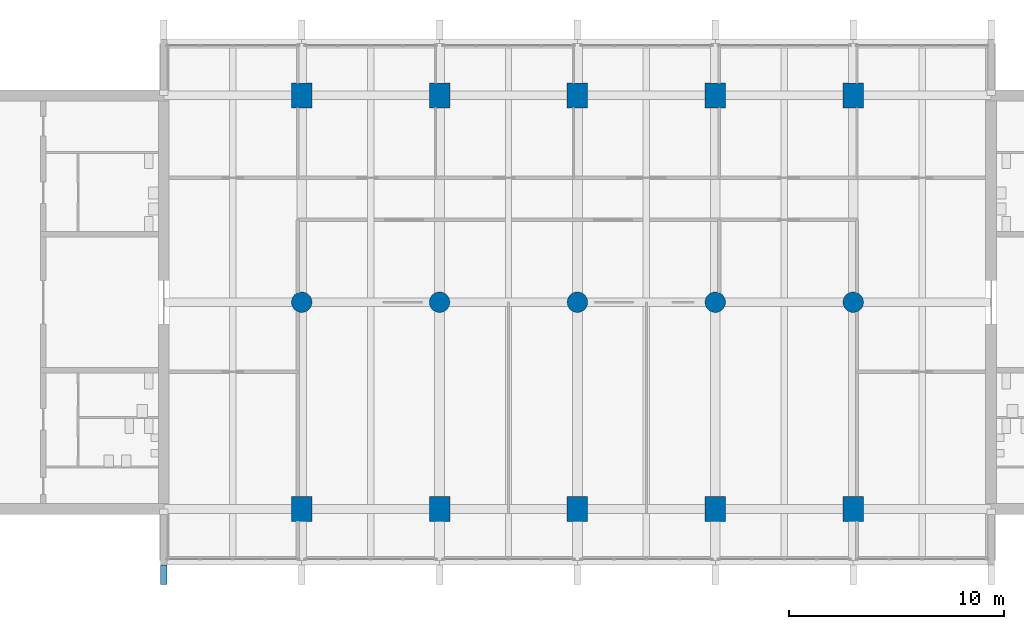
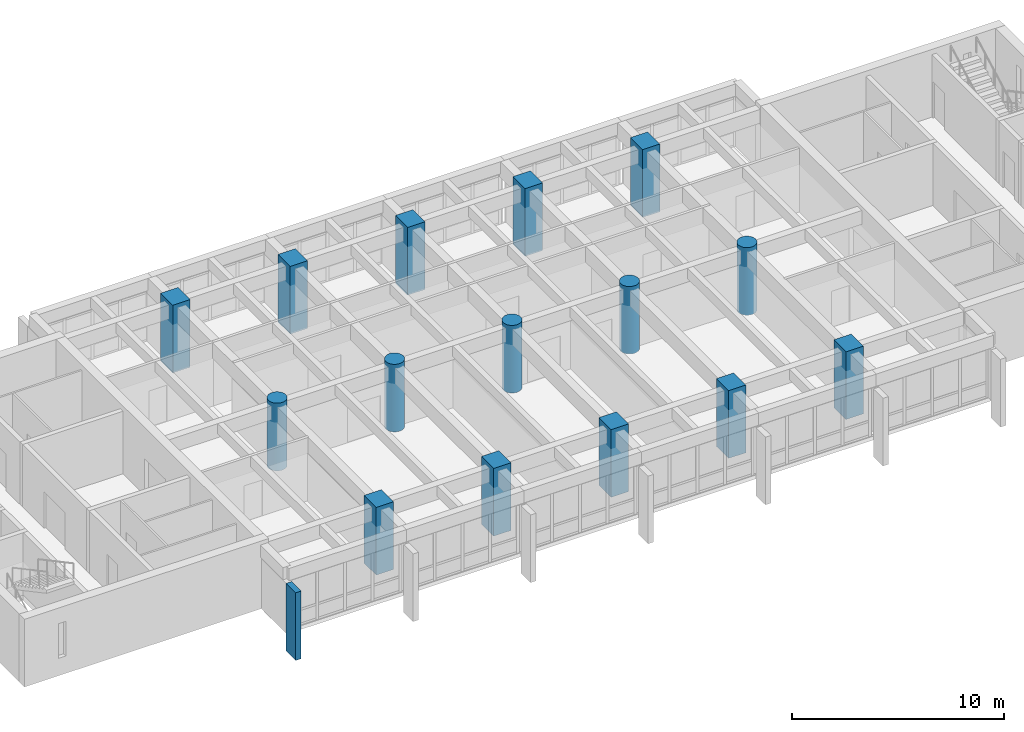
# One storey, part 1 of 15: 15 columns, 1 member.
"""IFC4 building model written with IfcOpenShell, lengths in metres."""

from ifc_helpers import new_model, si_unit, direction, frame, origin, origin_2d, place, context, subcontext, project, spatial, rectangle, circle, extrude, material, material_profile, profile_set, type_object, element, save


model = new_model("IFC4")

# Units and contexts
model_context = context("Model", 3, precision=1e-05, world=origin(), true_north=direction((0.0, 1.0)))
body_context = subcontext(model_context, "Body", "Model", "MODEL_VIEW")
ifc_project = project(units=[si_unit("LENGTHUNIT", "METRE"), si_unit("AREAUNIT", "SQUARE_METRE"), si_unit("VOLUMEUNIT", "CUBIC_METRE"), si_unit("PLANEANGLEUNIT", "RADIAN"), si_unit("MASSUNIT", "GRAM", prefix="KILO")], contexts=[model_context])

# Site, building, storey
site_placement = place(None, origin())
site = spatial("IfcSite", under=ifc_project, at=site_placement, CompositionType="ELEMENT")
building_placement = place(site_placement, origin())
building = spatial("IfcBuilding", under=site, at=building_placement, Name="Fogon Plaza Fire Station and Headquarters Tower", CompositionType="ELEMENT")
storey_placement = place(building_placement, frame((0.0, 0.0, 40.5)))
storey = spatial("IfcBuildingStorey", under=building, at=storey_placement, Name="L10", CompositionType="ELEMENT", Elevation=40.5)

# Columns
ifc_material_1 = material(Name="Concrete C40", Category="concrete")
ifc_material_profile_1 = material_profile(ifc_material_1, rectangle(XDim=0.949951171875, YDim=1.14990234375, at=origin_2d()), Name="RC 950x1150")
ifc_profile_set_1 = profile_set([ifc_material_profile_1], Name="Concrete C40")
column_type_1 = type_object("IfcColumnType", Name="COLUMN RC 950x1150", PredefinedType="COLUMN", material=ifc_profile_set_1)
for number, where, z_axis, x_axis, name in (
    (1, (32.0, 33.60009765625, 0.0), (0.0, 0.0, 1.0), (1.0, 0.0, 0.0), "col-L10-4E"),
    (2, (32.0, 52.800048828125, 0.0), (0.0, 0.0, 1.0), (1.0, 0.0, 0.0), "col-L10-4G"),
    (3, (38.39990234375, 33.60009765625, 0.0), (0.0, 0.0, 1.0), (1.0, 0.0, 0.0), "col-L10-5E"),
    (4, (38.39990234375, 52.800048828125, 0.0), (0.0, 0.0, 1.0), (1.0, 0.0, 0.0), "col-L10-5G"),
    (5, (44.800048828125, 33.60009765625, 0.0), (0.0, 0.0, 1.0), (1.0, 0.0, 0.0), "col-L10-6E"),
    (6, (44.800048828125, 52.800048828125, 0.0), (0.0, 0.0, 1.0), (1.0, 0.0, 0.0), "col-L10-6G"),
    (7, (51.199951171875, 33.60009765625, 0.0), (0.0, 0.0, 1.0), (1.0, 0.0, 0.0), "col-L10-7E"),
    (8, (51.199951171875, 52.800048828125, 0.0), (0.0, 0.0, 1.0), (1.0, 0.0, 0.0), "col-L10-7G"),
    (9, (57.60009765625, 33.60009765625, 0.0), (0.0, 0.0, 1.0), (1.0, 0.0, 0.0), "col-L10-8E"),
    (10, (57.60009765625, 52.800048828125, 0.0), (0.0, 0.0, 1.0), (1.0, 0.0, 0.0), "col-L10-8G"),
):
    element("IfcColumn", number, at=place(storey_placement, frame(where, z_axis=z_axis, x_axis=x_axis)), inside=storey, type_object=column_type_1, Name=name, PredefinedType="COLUMN", context=body_context, shape_type="SweptSolid", body=[
        extrude(rectangle(XDim=0.949951171875, YDim=1.14990234375, at=origin_2d()), origin(), (0.0, 0.0, 1.0), 3.89990234375),
    ])
ifc_material_2 = material(Name="Concrete C40", Category="concrete")
ifc_material_profile_2 = material_profile(ifc_material_2, circle(Radius=0.47509765625, at=origin_2d()), Name="RC D950")
ifc_profile_set_2 = profile_set([ifc_material_profile_2], Name="Concrete C40")
column_type_2 = type_object("IfcColumnType", Name="COLUMN RC D950", PredefinedType="COLUMN", material=ifc_profile_set_2)
for number, where, z_axis, x_axis, name in (
    (11, (32.0, 43.199951171875, 0.0), (0.0, 0.0, 1.0), (1.0, 0.0, 0.0), "col-L10-4F"),
    (12, (38.39990234375, 43.199951171875, 0.0), (0.0, 0.0, 1.0), (1.0, 0.0, 0.0), "col-L10-5F"),
    (13, (44.800048828125, 43.199951171875, 0.0), (0.0, 0.0, 1.0), (1.0, 0.0, 0.0), "col-L10-6F"),
    (14, (51.199951171875, 43.199951171875, 0.0), (0.0, 0.0, 1.0), (1.0, 0.0, 0.0), "col-L10-7F"),
    (15, (57.60009765625, 43.199951171875, 0.0), (0.0, 0.0, 1.0), (1.0, 0.0, 0.0), "col-L10-8F"),
):
    element("IfcColumn", number, at=place(storey_placement, frame(where, z_axis=z_axis, x_axis=x_axis)), inside=storey, type_object=column_type_2, Name=name, PredefinedType="COLUMN", context=body_context, shape_type="SweptSolid", body=[
        extrude(circle(Radius=0.47509765625, at=origin_2d()), origin(), (0.0, 0.0, 1.0), 3.89990234375),
    ])

# Member
ifc_material_3 = material(Name="Concrete C40 precast", Category="concrete")
ifc_material_profile_3 = material_profile(ifc_material_3, rectangle(XDim=0.300048828125, YDim=0.89990234375, at=origin_2d()), Name="Precast Concrete Post 300x900")
ifc_profile_set_3 = profile_set([ifc_material_profile_3], Name="Concrete C40 precast")
member_type = type_object("IfcMemberType", Name="Precast Concrete Post 300x900", PredefinedType="POST", material=ifc_profile_set_3)
member_placement = place(storey_placement, frame((25.60009765625, 30.550048828125, -1.02001953125), z_axis=(0.0, 0.0, 1.0), x_axis=(1.0, 0.0, 0.0)))
element("IfcMember", 16, at=member_placement, inside=storey, type_object=member_type, Name="Precast Post S L10", PredefinedType="POST", context=body_context, shape_type="SweptSolid", body=[
    extrude(rectangle(XDim=0.300048828125, YDim=0.89990234375, at=origin_2d()), origin(), (0.0, 0.0, 1.0), 3.89990234375),
])

save(model, "model.ifc")
